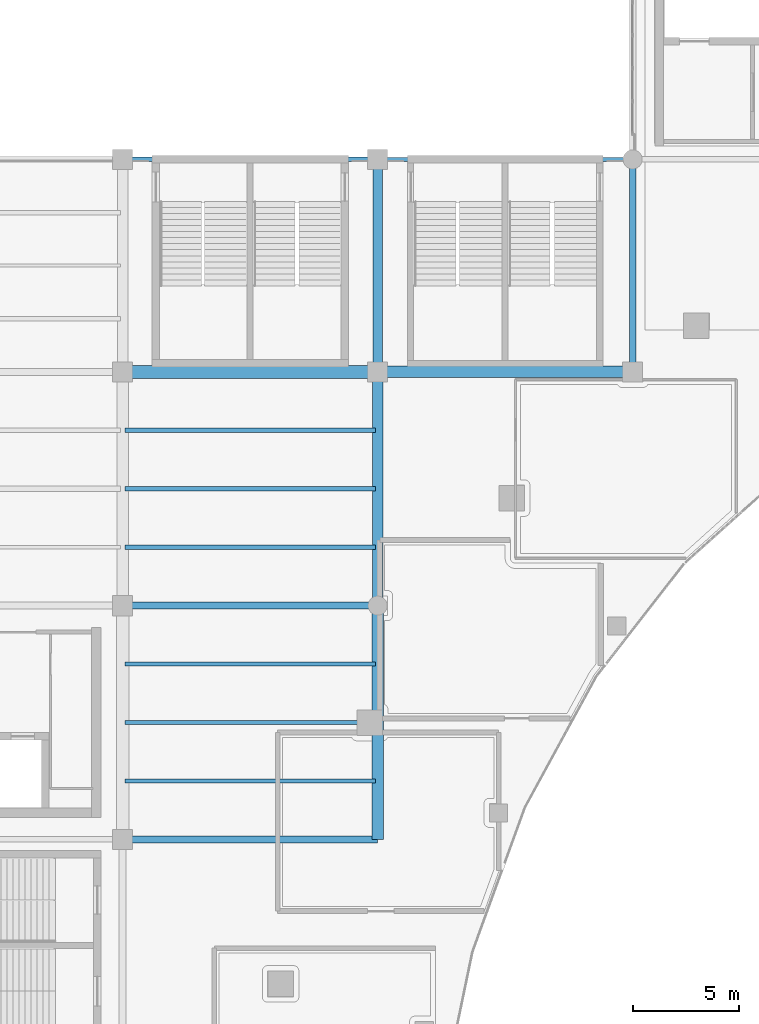
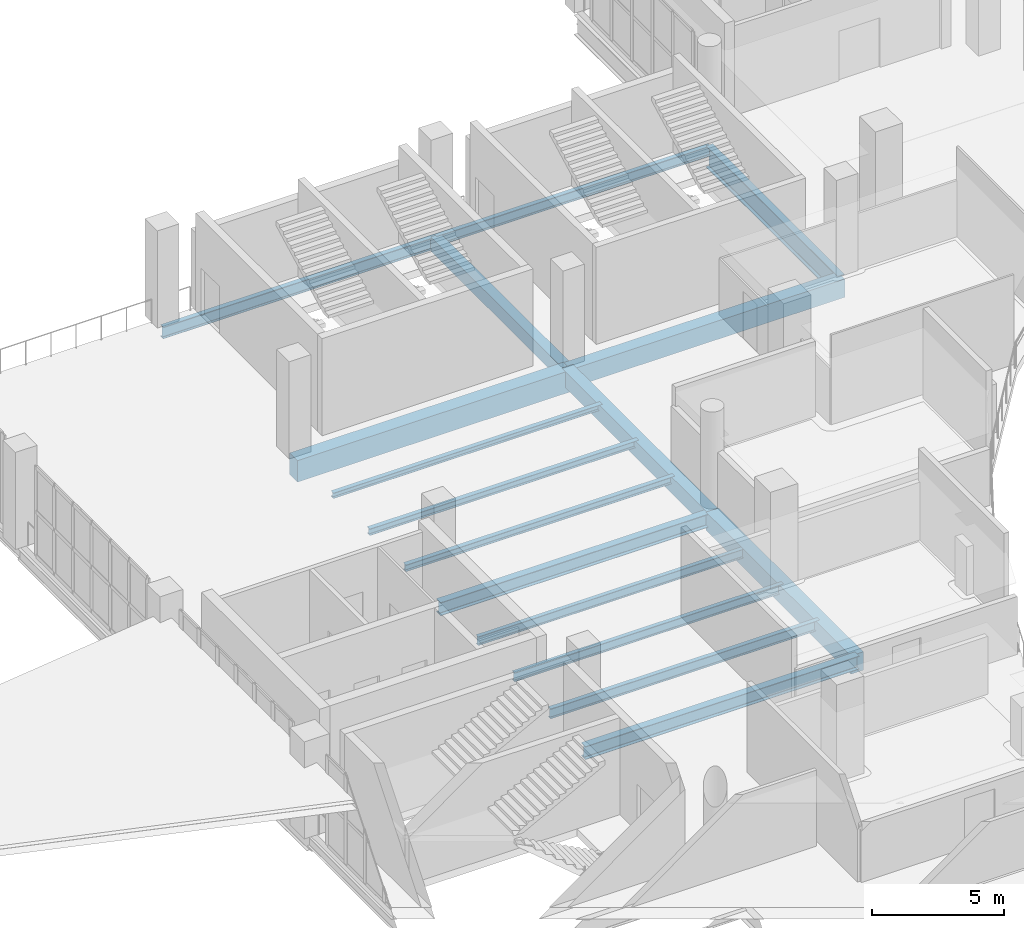
# One storey, part 27 of 90: 16 beams.
"""IFC4 building model written with IfcOpenShell, lengths in metres."""

from ifc_helpers import new_model, si_unit, direction, frame, origin, origin_2d, place, context, subcontext, project, spatial, rectangle, i_section, extrude, material, material_profile, profile_set, type_object, element, save


model = new_model("IFC4")

# Units and contexts
model_context = context("Model", 3, precision=1e-05, world=origin(), true_north=direction((0.0, 1.0)))
body_context = subcontext(model_context, "Body", "Model", "MODEL_VIEW")
ifc_project = project(units=[si_unit("LENGTHUNIT", "METRE"), si_unit("AREAUNIT", "SQUARE_METRE"), si_unit("VOLUMEUNIT", "CUBIC_METRE"), si_unit("PLANEANGLEUNIT", "RADIAN"), si_unit("MASSUNIT", "GRAM", prefix="KILO")], contexts=[model_context])

# Site, building, storey
site_placement = place(None, origin())
site = spatial("IfcSite", under=ifc_project, at=site_placement, CompositionType="ELEMENT")
building_placement = place(site_placement, origin())
building = spatial("IfcBuilding", under=site, at=building_placement, Name="Brinegate Civic Arena", CompositionType="ELEMENT")
storey_placement = place(building_placement, frame((0.0, 0.0, 14.699951171875)))
storey = spatial("IfcBuildingStorey", under=building, at=storey_placement, Name="L03", CompositionType="ELEMENT", Elevation=14.699951171875)

# Beams
ifc_material_1 = material(Name="Steel S355", Category="steel")
ifc_material_profile_1 = material_profile(ifc_material_1, i_section(OverallWidth=0.300048828125, OverallDepth=1.0, WebThickness=0.01904296875, FlangeThickness=0.031982421875, FilletRadius=0.02392578125, at=origin_2d()), Name="W1000X321")
ifc_profile_set_1 = profile_set([ifc_material_profile_1], Name="Steel S355")
beam_type_1 = type_object("IfcBeamType", Name="GIRDER-W1000X321", PredefinedType="BEAM", material=ifc_profile_set_1)
beam_1_placement = place(storey_placement, frame((84.0, 104.0, -0.849853515625), z_axis=(0.0, 1.0, 0.0), x_axis=(-1.0, 0.0, 0.0)))
element("IfcBeam", 1, at=beam_1_placement, inside=storey, type_object=beam_type_1, Name="Floor Girder BM-L03-GY-07-10", PredefinedType="BEAM", context=body_context, shape_type="SweptSolid", body=[
    extrude(i_section(OverallWidth=0.300048828125, OverallDepth=1.0, WebThickness=0.01904296875, FlangeThickness=0.031982421875, FilletRadius=0.02392578125, at=origin_2d()), origin(), (0.0, 0.0, 1.0), 10.0),
])
ifc_material_profile_2 = material_profile(ifc_material_1, i_section(OverallWidth=0.323974609375, OverallDepth=0.611083984375, WebThickness=0.012939453125, FlangeThickness=0.01904296875, FilletRadius=0.01611328125, at=origin_2d()), Name="W610X155")
ifc_profile_set_2 = profile_set([ifc_material_profile_2], Name="Steel S355")
beam_type_2 = type_object("IfcBeamType", Name="GIRDER-W610X155", PredefinedType="BEAM", material=ifc_profile_set_2)
beam_2_placement = place(storey_placement, frame((60.0, 82.0, -0.655029296875), z_axis=(1.0, 0.0, 0.0), x_axis=(0.0, 1.0, 0.0)))
element("IfcBeam", 2, at=beam_2_placement, inside=storey, type_object=beam_type_2, Name="Floor Girder BM-L03-GX-05-08", PredefinedType="BEAM", context=body_context, shape_type="SweptSolid", body=[
    extrude(i_section(OverallWidth=0.323974609375, OverallDepth=0.611083984375, WebThickness=0.012939453125, FlangeThickness=0.01904296875, FilletRadius=0.01611328125, at=origin_2d()), origin(), (0.0, 0.0, 1.0), 12.0),
])
ifc_material_profile_3 = material_profile(ifc_material_1, i_section(OverallWidth=0.324951171875, OverallDepth=0.615966796875, WebThickness=0.013916015625, FlangeThickness=0.02197265625, FilletRadius=0.01611328125, at=origin_2d()), Name="W610X174")
ifc_profile_set_3 = profile_set([ifc_material_profile_3], Name="Steel S355")
beam_type_3 = type_object("IfcBeamType", Name="GIRDER-W610X174", PredefinedType="BEAM", material=ifc_profile_set_3)
beam_3_placement = place(storey_placement, frame((60.0, 93.0, -0.657958984375), z_axis=(1.0, 0.0, 0.0), x_axis=(0.0, 1.0, 0.0)))
element("IfcBeam", 3, at=beam_3_placement, inside=storey, type_object=beam_type_3, Name="Floor Girder BM-L03-GX-05-09", PredefinedType="BEAM", context=body_context, shape_type="SweptSolid", body=[
    extrude(i_section(OverallWidth=0.324951171875, OverallDepth=0.615966796875, WebThickness=0.013916015625, FlangeThickness=0.02197265625, FilletRadius=0.01611328125, at=origin_2d()), origin(), (0.0, 0.0, 1.0), 12.0),
])
ifc_material_profile_4 = material_profile(ifc_material_1, i_section(OverallWidth=0.202880859375, OverallDepth=0.251953125, WebThickness=0.008056640625, FlangeThickness=0.013916015625, FilletRadius=0.011962890625, at=origin_2d()), Name="W250X58")
ifc_profile_set_4 = profile_set([ifc_material_profile_4], Name="Steel S355")
beam_type_4 = type_object("IfcBeamType", Name="JOIST-W250X58", PredefinedType="JOIST", material=ifc_profile_set_4)
beam_4_placement = place(storey_placement, frame((60.10595703125, 101.25, -0.475830078125), z_axis=(1.0, 0.0, 0.0), x_axis=(0.0, 1.0, 0.0)))
element("IfcBeam", 4, at=beam_4_placement, inside=storey, type_object=beam_type_4, Name="Secondary Joist BM-L03-JX-05-09-3", PredefinedType="JOIST", context=body_context, shape_type="SweptSolid", body=[
    extrude(i_section(OverallWidth=0.202880859375, OverallDepth=0.251953125, WebThickness=0.008056640625, FlangeThickness=0.013916015625, FilletRadius=0.011962890625, at=origin_2d()), origin(), (0.0, 0.0, 1.0), 11.7880859375),
])
ifc_material_profile_5 = material_profile(ifc_material_1, i_section(OverallWidth=0.202880859375, OverallDepth=0.302978515625, WebThickness=0.008056640625, FlangeThickness=0.012939453125, FilletRadius=0.012939453125, at=origin_2d()), Name="W310X60")
ifc_profile_set_5 = profile_set([ifc_material_profile_5], Name="Steel S355")
beam_type_5 = type_object("IfcBeamType", Name="JOIST-W310X60", PredefinedType="JOIST", material=ifc_profile_set_5)
beam_5_placement = place(storey_placement, frame((60.10595703125, 98.5, -0.5009765625), z_axis=(1.0, 0.0, 0.0), x_axis=(0.0, 1.0, 0.0)))
element("IfcBeam", 5, at=beam_5_placement, inside=storey, type_object=beam_type_5, Name="Secondary Joist BM-L03-JX-05-09-2", PredefinedType="JOIST", context=body_context, shape_type="SweptSolid", body=[
    extrude(i_section(OverallWidth=0.202880859375, OverallDepth=0.302978515625, WebThickness=0.008056640625, FlangeThickness=0.012939453125, FilletRadius=0.012939453125, at=origin_2d()), origin(), (0.0, 0.0, 1.0), 11.7880859375),
])
ifc_material_profile_6 = material_profile(ifc_material_1, i_section(OverallWidth=0.205078125, OverallDepth=0.31005859375, WebThickness=0.009033203125, FlangeThickness=0.01611328125, FilletRadius=0.012939453125, at=origin_2d()), Name="W310X74")
ifc_profile_set_6 = profile_set([ifc_material_profile_6], Name="Steel S355")
beam_type_6 = type_object("IfcBeamType", Name="JOIST-W310X74", PredefinedType="JOIST", material=ifc_profile_set_6)
beam_6_placement = place(storey_placement, frame((60.10595703125, 95.75, -0.5048828125), z_axis=(1.0, 0.0, 0.0), x_axis=(0.0, 1.0, 0.0)))
element("IfcBeam", 6, at=beam_6_placement, inside=storey, type_object=beam_type_6, Name="Secondary Joist BM-L03-JX-05-09-1", PredefinedType="JOIST", context=body_context, shape_type="SweptSolid", body=[
    extrude(i_section(OverallWidth=0.205078125, OverallDepth=0.31005859375, WebThickness=0.009033203125, FlangeThickness=0.01611328125, FilletRadius=0.012939453125, at=origin_2d()), origin(), (0.0, 0.0, 1.0), 11.7880859375),
])
ifc_material_profile_7 = material_profile(ifc_material_1, i_section(OverallWidth=0.178955078125, OverallDepth=0.409912109375, WebThickness=0.009033203125, FlangeThickness=0.013916015625, FilletRadius=0.013916015625, at=origin_2d()), Name="W410X67")
ifc_profile_set_7 = profile_set([ifc_material_profile_7], Name="Steel S355")
beam_type_7 = type_object("IfcBeamType", Name="JOIST-W410X67", PredefinedType="JOIST", material=ifc_profile_set_7)
beam_7_placement = place(storey_placement, frame((60.10595703125, 90.25, -0.554931640625), z_axis=(1.0, 0.0, 0.0), x_axis=(0.0, 1.0, 0.0)))
element("IfcBeam", 7, at=beam_7_placement, inside=storey, type_object=beam_type_7, Name="Secondary Joist BM-L03-JX-05-08-3", PredefinedType="JOIST", context=body_context, shape_type="SweptSolid", body=[
    extrude(i_section(OverallWidth=0.178955078125, OverallDepth=0.409912109375, WebThickness=0.009033203125, FlangeThickness=0.013916015625, FilletRadius=0.013916015625, at=origin_2d()), origin(), (0.0, 0.0, 1.0), 11.7880859375),
])
ifc_material_profile_8 = material_profile(ifc_material_1, i_section(OverallWidth=0.180908203125, OverallDepth=0.4169921875, WebThickness=0.010986328125, FlangeThickness=0.01806640625, FilletRadius=0.013916015625, at=origin_2d()), Name="W410X85")
ifc_profile_set_8 = profile_set([ifc_material_profile_8], Name="Steel S355")
beam_type_8 = type_object("IfcBeamType", Name="JOIST-W410X85", PredefinedType="JOIST", material=ifc_profile_set_8)
beam_8_placement = place(storey_placement, frame((60.10595703125, 87.5, -0.557861328125), z_axis=(1.0, 0.0, 0.0), x_axis=(0.0, 1.0, 0.0)))
element("IfcBeam", 8, at=beam_8_placement, inside=storey, type_object=beam_type_8, Name="Secondary Joist BM-L03-JX-05-08-2", PredefinedType="JOIST", context=body_context, shape_type="SweptSolid", body=[
    extrude(i_section(OverallWidth=0.180908203125, OverallDepth=0.4169921875, WebThickness=0.010986328125, FlangeThickness=0.01806640625, FilletRadius=0.013916015625, at=origin_2d()), origin(), (0.0, 0.0, 1.0), 11.7880859375),
])
ifc_material_profile_9 = material_profile(ifc_material_1, i_section(OverallWidth=0.19091796875, OverallDepth=0.4599609375, WebThickness=0.010009765625, FlangeThickness=0.01611328125, FilletRadius=0.014892578125, at=origin_2d()), Name="W460X82")
ifc_profile_set_9 = profile_set([ifc_material_profile_9], Name="Steel S355")
beam_type_9 = type_object("IfcBeamType", Name="JOIST-W460X82", PredefinedType="JOIST", material=ifc_profile_set_9)
beam_9_placement = place(storey_placement, frame((60.10595703125, 84.75, -0.579833984375), z_axis=(1.0, 0.0, 0.0), x_axis=(0.0, 1.0, 0.0)))
element("IfcBeam", 9, at=beam_9_placement, inside=storey, type_object=beam_type_9, Name="Secondary Joist BM-L03-JX-05-08-1", PredefinedType="JOIST", context=body_context, shape_type="SweptSolid", body=[
    extrude(i_section(OverallWidth=0.19091796875, OverallDepth=0.4599609375, WebThickness=0.010009765625, FlangeThickness=0.01611328125, FilletRadius=0.014892578125, at=origin_2d()), origin(), (0.0, 0.0, 1.0), 11.7880859375),
])
ifc_material_2 = material(Name="Concrete C50/60", Category="concrete")
ifc_material_profile_10 = material_profile(ifc_material_2, rectangle(XDim=0.449951171875, YDim=0.64990234375, at=origin_2d()), Name="RCB450X650")
ifc_profile_set_10 = profile_set([ifc_material_profile_10], Name="Concrete C50/60")
beam_type_10 = type_object("IfcBeamType", Name="RCG-450X650", PredefinedType="BEAM", material=ifc_profile_set_10)
beam_10_placement = place(storey_placement, frame((72.0, 104.0, -0.675048828125), z_axis=(0.0, 1.0, 0.0), x_axis=(-1.0, 0.0, 0.0)))
element("IfcBeam", 10, at=beam_10_placement, inside=storey, type_object=beam_type_10, Name="Floor Girder BM-L03-GY-06-10", PredefinedType="BEAM", context=body_context, shape_type="SweptSolid", body=[
    extrude(rectangle(XDim=0.449951171875, YDim=0.64990234375, at=origin_2d()), origin(), (0.0, 0.0, 1.0), 10.0),
])
ifc_material_profile_11 = material_profile(ifc_material_2, rectangle(XDim=0.5, YDim=0.75, at=origin_2d()), Name="RCB500X750")
ifc_profile_set_11 = profile_set([ifc_material_profile_11], Name="Concrete C50/60")
beam_type_11 = type_object("IfcBeamType", Name="RCG-500X750", PredefinedType="BEAM", material=ifc_profile_set_11)
beam_11_placement = place(storey_placement, frame((72.0, 93.0, -0.724853515625), z_axis=(0.0, 1.0, 0.0), x_axis=(-1.0, 0.0, 0.0)))
element("IfcBeam", 11, at=beam_11_placement, inside=storey, type_object=beam_type_11, Name="Floor Girder BM-L03-GY-06-09", PredefinedType="BEAM", context=body_context, shape_type="SweptSolid", body=[
    extrude(rectangle(XDim=0.5, YDim=0.75, at=origin_2d()), origin(), (0.0, 0.0, 1.0), 11.0),
])
ifc_material_profile_12 = material_profile(ifc_material_2, rectangle(XDim=0.550048828125, YDim=0.85009765625, at=origin_2d()), Name="RCB550X850")
ifc_profile_set_12 = profile_set([ifc_material_profile_12], Name="Concrete C50/60")
beam_type_12 = type_object("IfcBeamType", Name="RCG-550X850", PredefinedType="BEAM", material=ifc_profile_set_12)
beam_12_placement = place(storey_placement, frame((72.0, 104.0, -0.77490234375), z_axis=(1.0, 0.0, 0.0), x_axis=(0.0, 1.0, 0.0)))
element("IfcBeam", 12, at=beam_12_placement, inside=storey, type_object=beam_type_12, Name="Floor Girder BM-L03-GX-06-10", PredefinedType="BEAM", context=body_context, shape_type="SweptSolid", body=[
    extrude(rectangle(XDim=0.550048828125, YDim=0.85009765625, at=origin_2d()), origin(), (0.0, 0.0, 1.0), 12.0),
])
beam_13_placement = place(storey_placement, frame((72.0, 82.0, -0.77490234375), z_axis=(0.0, 1.0, 0.0), x_axis=(-1.0, 0.0, 0.0)))
element("IfcBeam", 13, at=beam_13_placement, inside=storey, type_object=beam_type_12, Name="Floor Girder BM-L03-GY-06-08", PredefinedType="BEAM", context=body_context, shape_type="SweptSolid", body=[
    extrude(rectangle(XDim=0.550048828125, YDim=0.85009765625, at=origin_2d()), origin(), (0.0, 0.0, 1.0), 11.0),
])
ifc_material_profile_13 = material_profile(ifc_material_2, rectangle(XDim=0.60009765625, YDim=1.0, at=origin_2d()), Name="RCB600X1000")
ifc_profile_set_13 = profile_set([ifc_material_profile_13], Name="Concrete C50/60")
beam_type_13 = type_object("IfcBeamType", Name="RCG-600X1000", PredefinedType="BEAM", material=ifc_profile_set_13)
beam_14_placement = place(storey_placement, frame((60.0, 104.0, -0.849853515625), z_axis=(1.0, 0.0, 0.0), x_axis=(0.0, 1.0, 0.0)))
element("IfcBeam", 14, at=beam_14_placement, inside=storey, type_object=beam_type_13, Name="Floor Girder BM-L03-GX-05-10", PredefinedType="BEAM", context=body_context, shape_type="SweptSolid", body=[
    extrude(rectangle(XDim=0.60009765625, YDim=1.0, at=origin_2d()), origin(), (0.0, 0.0, 1.0), 12.0),
])
ifc_material_profile_14 = material_profile(ifc_material_1, i_section(OverallWidth=0.193115234375, OverallDepth=0.466064453125, WebThickness=0.010986328125, FlangeThickness=0.01904296875, FilletRadius=0.014892578125, at=origin_2d()), Name="W460X97")
ifc_profile_set_14 = profile_set([ifc_material_profile_14], Name="Steel S355")
beam_type_14 = type_object("IfcBeamType", Name="SPANDREL-W460X97", PredefinedType="SPANDREL", material=ifc_profile_set_14)
beam_15_placement = place(storey_placement, frame((72.0, 114.0, -0.5830078125), z_axis=(1.0, 0.0, 0.0), x_axis=(0.0, 1.0, 0.0)))
element("IfcBeam", 15, at=beam_15_placement, inside=storey, type_object=beam_type_14, Name="Floor Girder BM-L03-GX-06-11", PredefinedType="SPANDREL", context=body_context, shape_type="SweptSolid", body=[
    extrude(i_section(OverallWidth=0.193115234375, OverallDepth=0.466064453125, WebThickness=0.010986328125, FlangeThickness=0.01904296875, FilletRadius=0.014892578125, at=origin_2d()), origin(), (0.0, 0.0, 1.0), 12.0),
])
ifc_material_profile_15 = material_profile(ifc_material_1, i_section(OverallWidth=0.2119140625, OverallDepth=0.5439453125, WebThickness=0.012939453125, FlangeThickness=0.02099609375, FilletRadius=0.01611328125, at=origin_2d()), Name="W530X123")
ifc_profile_set_15 = profile_set([ifc_material_profile_15], Name="Steel S355")
beam_type_15 = type_object("IfcBeamType", Name="SPANDREL-W530X123", PredefinedType="SPANDREL", material=ifc_profile_set_15)
beam_16_placement = place(storey_placement, frame((60.0, 114.0, -0.6220703125), z_axis=(1.0, 0.0, 0.0), x_axis=(0.0, 1.0, 0.0)))
element("IfcBeam", 16, at=beam_16_placement, inside=storey, type_object=beam_type_15, Name="Floor Girder BM-L03-GX-05-11", PredefinedType="SPANDREL", context=body_context, shape_type="SweptSolid", body=[
    extrude(i_section(OverallWidth=0.2119140625, OverallDepth=0.5439453125, WebThickness=0.012939453125, FlangeThickness=0.02099609375, FilletRadius=0.01611328125, at=origin_2d()), origin(), (0.0, 0.0, 1.0), 12.0),
])

save(model, "model.ifc")
